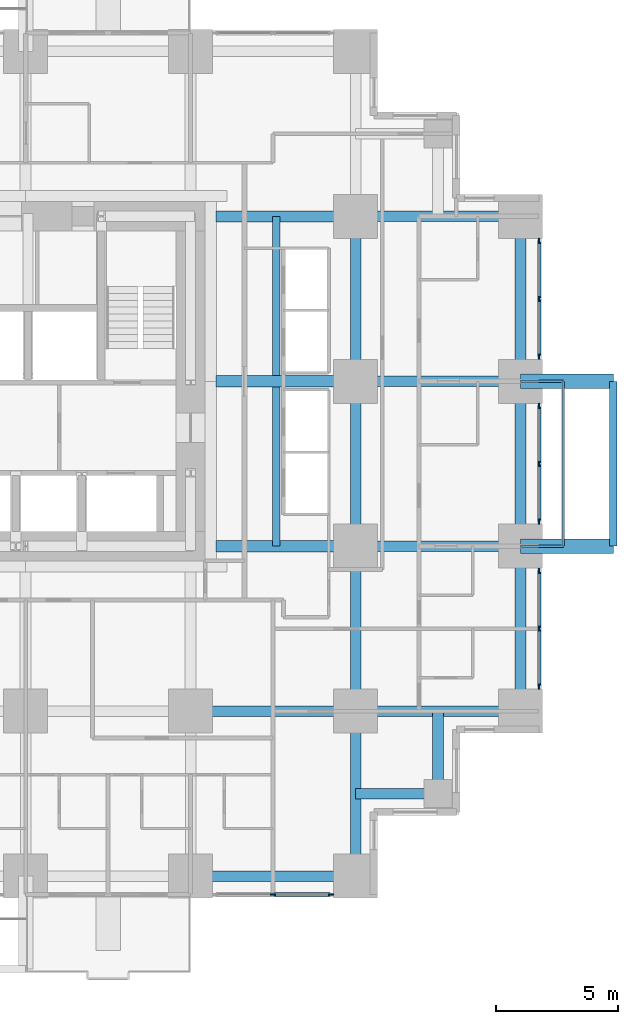
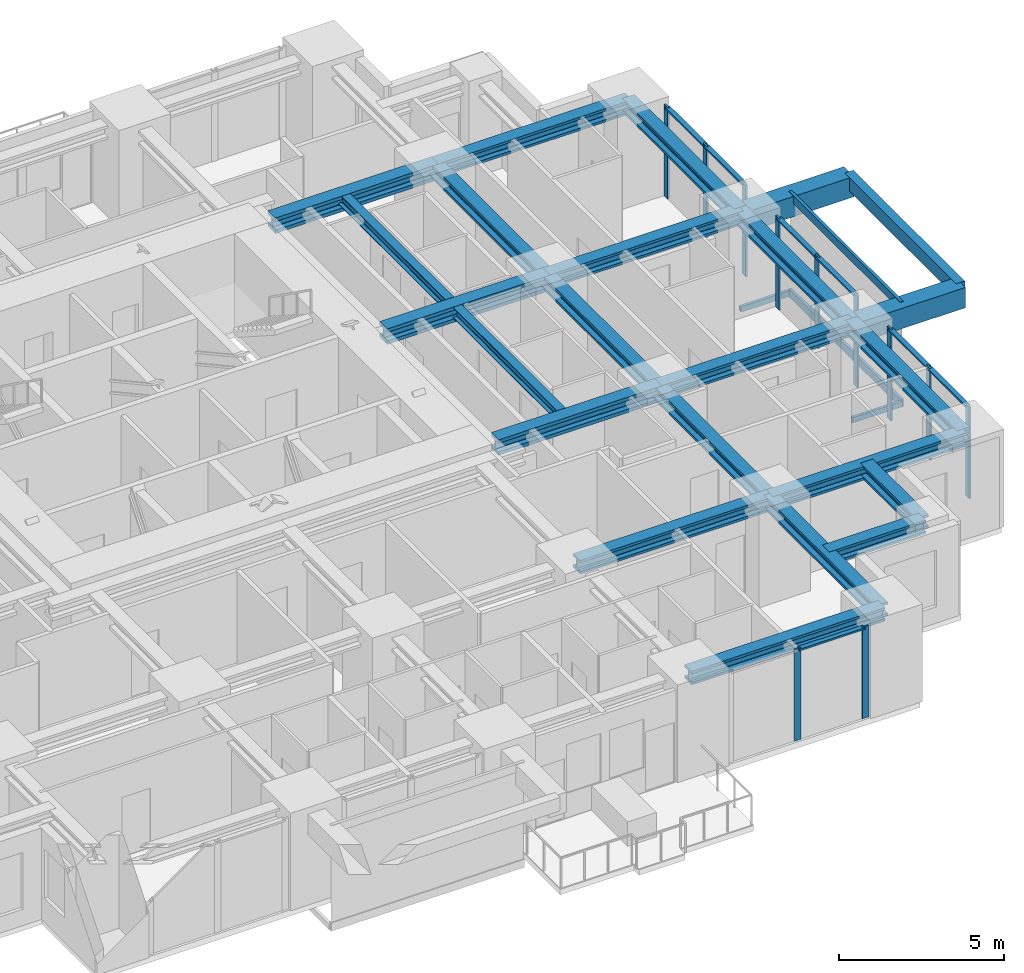
# One storey, part 4 of 12: 23 beams, 22 members, 4 elements without a shape of their own.
"""IFC4 building model written with IfcOpenShell, lengths in metres."""

from ifc_helpers import new_model, si_unit, direction, frame, origin, origin_2d, place, context, subcontext, project, spatial, rectangle, hollow_rectangle, i_section, extrude, material, material_profile, profile_set, type_object, element, aggregate, save


model = new_model("IFC4")

# Units and contexts
model_context = context("Model", 3, precision=1e-05, world=origin(), true_north=direction((0.0, 1.0)))
body_context = subcontext(model_context, "Body", "Model", "MODEL_VIEW")
ifc_project = project(units=[si_unit("LENGTHUNIT", "METRE"), si_unit("AREAUNIT", "SQUARE_METRE"), si_unit("VOLUMEUNIT", "CUBIC_METRE"), si_unit("PLANEANGLEUNIT", "RADIAN"), si_unit("MASSUNIT", "GRAM", prefix="KILO")], contexts=[model_context])

# Site, building, storey
site_placement = place(None, origin())
site = spatial("IfcSite", under=ifc_project, at=site_placement, CompositionType="ELEMENT")
building_placement = place(site_placement, origin())
building = spatial("IfcBuilding", under=site, at=building_placement, Name="Nyansa Garden Tower", CompositionType="ELEMENT")
storey_placement = place(building_placement, frame((0.0, 0.0, 90.89990234375)))
storey = spatial("IfcBuildingStorey", under=building, at=storey_placement, Name="L24", CompositionType="ELEMENT", Elevation=90.89990234375)

# Beams
ifc_material_1 = material(Name="Concrete C70/85", Category="concrete")
ifc_material_profile_1 = material_profile(ifc_material_1, rectangle(XDim=0.60009765625, YDim=0.75, at=origin_2d()), Name="RC 600x750")
ifc_profile_set_1 = profile_set([ifc_material_profile_1], Name="Concrete C70/85")
beam_type_1 = type_object("IfcBeamType", Name="Balcony cantilever beam CB1 RC 600x750", PredefinedType="BEAM", material=ifc_profile_set_1)
for number, where, z_axis, x_axis, name in (
    (1, (40.5, 13.5, 2.985107421875), (1.0, 0.0, 0.0), (0.0, 1.0, 0.0), "Balcony cantilever beam L25"),
    (2, (40.5, 20.25, 2.985107421875), (1.0, 0.0, 0.0), (0.0, 1.0, 0.0), "Balcony cantilever beam L25"),
):
    element("IfcBeam", number, at=place(storey_placement, frame(where, z_axis=z_axis, x_axis=x_axis)), inside=storey, type_object=beam_type_1, Name=name, PredefinedType="BEAM", context=body_context, shape_type="SweptSolid", body=[
        extrude(rectangle(XDim=0.60009765625, YDim=0.75, at=origin_2d()), origin(), (0.0, 0.0, 1.0), 3.800048828125),
    ])
ifc_material_2 = material(Name="Concrete C70/85", Category="concrete")
ifc_material_profile_2 = material_profile(ifc_material_2, rectangle(XDim=0.300048828125, YDim=0.5, at=origin_2d()), Name="RC 300x500")
ifc_profile_set_2 = profile_set([ifc_material_profile_2], Name="Concrete C70/85")
beam_type_2 = type_object("IfcBeamType", Name="Balcony edge beam BE1 RC 300x500", PredefinedType="BEAM", material=ifc_profile_set_2)
beam_placement = place(storey_placement, frame((44.300048828125, 13.5, 3.110107421875), z_axis=(0.0, 1.0, 0.0), x_axis=(-1.0, 0.0, 0.0)))
element("IfcBeam", 3, at=beam_placement, inside=storey, type_object=beam_type_2, Name="Balcony edge beam L25", PredefinedType="BEAM", context=body_context, shape_type="SweptSolid", body=[
    extrude(rectangle(XDim=0.300048828125, YDim=0.5, at=origin_2d()), origin(), (0.0, 0.0, 1.0), 6.75),
])

# Curtain wall, members
ifc_material_3 = material(Name="Black anodised aluminium, dark tinted double glazing", Category="aluminium")
curtain_wall_type = type_object("IfcCurtainWallType", Name="Inner skin curtain wall ISW-B", PredefinedType="USERDEFINED", material=ifc_material_3)
curtain_wall_1_placement = place(storey_placement, origin())
curtain_wall_1 = element("IfcCurtainWall", 4, at=curtain_wall_1_placement, inside=storey, type_object=curtain_wall_type, Name="Inner skin curtain wall L24 E", ObjectType="UNITISED CURTAIN WALL", PredefinedType="USERDEFINED")
ifc_material_4 = material(Name="Black anodised aluminium", Category="aluminium")
ifc_material_profile_3 = material_profile(ifc_material_4, rectangle(XDim=0.06494140625, YDim=0.22509765625, at=origin_2d()), Name="Mullion 225x65")
ifc_profile_set_3 = profile_set([ifc_material_profile_3], Name="Black anodised aluminium")
member_type_1 = type_object("IfcMemberType", Name="Mullion ISW-B 225x65", PredefinedType="MULLION", material=ifc_profile_set_3)
member_1_placement = place(storey_placement, frame((41.25, 7.762451171875, 0.0), z_axis=(0.0, 0.0, 1.0), x_axis=(-1.0, 0.0, 0.0)))
member_1 = element("IfcMember", 5, at=member_1_placement, type_object=member_type_1, Name="ISW-B mullion 1", PredefinedType="MULLION", context=body_context, shape_type="SweptSolid", body=[
    extrude(rectangle(XDim=0.06494140625, YDim=0.22509765625, at=origin_2d()), origin(), (0.0, 0.0, 1.0), 3.375),
])
member_2_placement = place(storey_placement, frame((41.25, 10.125, 0.0), z_axis=(0.0, 0.0, 1.0), x_axis=(-1.0, 0.0, 0.0)))
member_2 = element("IfcMember", 6, at=member_2_placement, type_object=member_type_1, Name="ISW-B mullion 2", PredefinedType="MULLION", context=body_context, shape_type="SweptSolid", body=[
    extrude(rectangle(XDim=0.06494140625, YDim=0.22509765625, at=origin_2d()), origin(), (0.0, 0.0, 1.0), 3.375),
])
member_3_placement = place(storey_placement, frame((41.25, 12.487548828125, 0.0), z_axis=(0.0, 0.0, 1.0), x_axis=(-1.0, 0.0, 0.0)))
member_3 = element("IfcMember", 7, at=member_3_placement, type_object=member_type_1, Name="ISW-B mullion 3", PredefinedType="MULLION", context=body_context, shape_type="SweptSolid", body=[
    extrude(rectangle(XDim=0.06494140625, YDim=0.22509765625, at=origin_2d()), origin(), (0.0, 0.0, 1.0), 3.375),
])

curtain_wall_2_placement = place(storey_placement, origin())
curtain_wall_2 = element("IfcCurtainWall", 8, at=curtain_wall_2_placement, inside=storey, type_object=curtain_wall_type, Name="Inner skin curtain wall L24 E", ObjectType="UNITISED CURTAIN WALL", PredefinedType="USERDEFINED")
member_4_placement = place(storey_placement, frame((41.25, 14.512451171875, 0.0), z_axis=(0.0, 0.0, 1.0), x_axis=(-1.0, 0.0, 0.0)))
member_4 = element("IfcMember", 9, at=member_4_placement, type_object=member_type_1, Name="ISW-B mullion 1", PredefinedType="MULLION", context=body_context, shape_type="SweptSolid", body=[
    extrude(rectangle(XDim=0.06494140625, YDim=0.22509765625, at=origin_2d()), origin(), (0.0, 0.0, 1.0), 3.375),
])
member_5_placement = place(storey_placement, frame((41.25, 16.875, 0.0), z_axis=(0.0, 0.0, 1.0), x_axis=(-1.0, 0.0, 0.0)))
member_5 = element("IfcMember", 10, at=member_5_placement, type_object=member_type_1, Name="ISW-B mullion 2", PredefinedType="MULLION", context=body_context, shape_type="SweptSolid", body=[
    extrude(rectangle(XDim=0.06494140625, YDim=0.22509765625, at=origin_2d()), origin(), (0.0, 0.0, 1.0), 3.375),
])
member_6_placement = place(storey_placement, frame((41.25, 19.237548828125, 0.0), z_axis=(0.0, 0.0, 1.0), x_axis=(-1.0, 0.0, 0.0)))
member_6 = element("IfcMember", 11, at=member_6_placement, type_object=member_type_1, Name="ISW-B mullion 3", PredefinedType="MULLION", context=body_context, shape_type="SweptSolid", body=[
    extrude(rectangle(XDim=0.06494140625, YDim=0.22509765625, at=origin_2d()), origin(), (0.0, 0.0, 1.0), 3.375),
])

curtain_wall_3_placement = place(storey_placement, origin())
curtain_wall_3 = element("IfcCurtainWall", 12, at=curtain_wall_3_placement, inside=storey, type_object=curtain_wall_type, Name="Inner skin curtain wall L24 E", ObjectType="UNITISED CURTAIN WALL", PredefinedType="USERDEFINED")
member_7_placement = place(storey_placement, frame((41.25, 21.262451171875, 0.0), z_axis=(0.0, 0.0, 1.0), x_axis=(-1.0, 0.0, 0.0)))
member_7 = element("IfcMember", 13, at=member_7_placement, type_object=member_type_1, Name="ISW-B mullion 1", PredefinedType="MULLION", context=body_context, shape_type="SweptSolid", body=[
    extrude(rectangle(XDim=0.06494140625, YDim=0.22509765625, at=origin_2d()), origin(), (0.0, 0.0, 1.0), 3.375),
])
member_8_placement = place(storey_placement, frame((41.25, 23.625, 0.0), z_axis=(0.0, 0.0, 1.0), x_axis=(-1.0, 0.0, 0.0)))
member_8 = element("IfcMember", 14, at=member_8_placement, type_object=member_type_1, Name="ISW-B mullion 2", PredefinedType="MULLION", context=body_context, shape_type="SweptSolid", body=[
    extrude(rectangle(XDim=0.06494140625, YDim=0.22509765625, at=origin_2d()), origin(), (0.0, 0.0, 1.0), 3.375),
])
member_9_placement = place(storey_placement, frame((41.25, 25.987548828125, 0.0), z_axis=(0.0, 0.0, 1.0), x_axis=(-1.0, 0.0, 0.0)))
member_9 = element("IfcMember", 15, at=member_9_placement, type_object=member_type_1, Name="ISW-B mullion 3", PredefinedType="MULLION", context=body_context, shape_type="SweptSolid", body=[
    extrude(rectangle(XDim=0.06494140625, YDim=0.22509765625, at=origin_2d()), origin(), (0.0, 0.0, 1.0), 3.375),
])

curtain_wall_4_placement = place(storey_placement, origin())
curtain_wall_4 = element("IfcCurtainWall", 16, at=curtain_wall_4_placement, inside=storey, type_object=curtain_wall_type, Name="Inner skin curtain wall L24 S", ObjectType="UNITISED CURTAIN WALL", PredefinedType="USERDEFINED")
member_10_placement = place(storey_placement, frame((30.375, -0.75, 0.0), z_axis=(0.0, 0.0, 1.0), x_axis=(0.0, 1.0, 0.0)))
member_10 = element("IfcMember", 17, at=member_10_placement, type_object=member_type_1, Name="ISW-B mullion 2", PredefinedType="MULLION", context=body_context, shape_type="SweptSolid", body=[
    extrude(rectangle(XDim=0.06494140625, YDim=0.22509765625, at=origin_2d()), origin(), (0.0, 0.0, 1.0), 3.375),
])
member_11_placement = place(storey_placement, frame((32.737548828125, -0.75, 0.0), z_axis=(0.0, 0.0, 1.0), x_axis=(0.0, 1.0, 0.0)))
member_11 = element("IfcMember", 18, at=member_11_placement, type_object=member_type_1, Name="ISW-B mullion 3", PredefinedType="MULLION", context=body_context, shape_type="SweptSolid", body=[
    extrude(rectangle(XDim=0.06494140625, YDim=0.22509765625, at=origin_2d()), origin(), (0.0, 0.0, 1.0), 3.375),
])

# Members
ifc_material_5 = material(Name="Steel S355, black powder coated", Category="steel")
ifc_material_profile_4 = material_profile(ifc_material_5, hollow_rectangle(XDim=0.10009765625, YDim=0.199951171875, WallThickness=0.008056640625, at=origin_2d()), Name="RHS 200x100x8")
ifc_profile_set_4 = profile_set([ifc_material_profile_4], Name="Steel S355, black powder coated")
member_type_2 = type_object("IfcMemberType", Name="Outer skin bracket arm RHS 200x100x8", PredefinedType="USERDEFINED", material=ifc_profile_set_4)
for number, where, z_axis, x_axis, name in (
    (19, (40.5, 13.5, -0.375), (1.0, 0.0, 0.0), (0.0, 1.0, 0.0), "Outer skin bracket arm"),
    (20, (40.5, 20.25, -0.375), (1.0, 0.0, 0.0), (0.0, 1.0, 0.0), "Outer skin bracket arm"),
):
    element("IfcMember", number, at=place(storey_placement, frame(where, z_axis=z_axis, x_axis=x_axis)), inside=storey, type_object=member_type_2, Name=name, ObjectType="OUTER SKIN BRACKET", PredefinedType="USERDEFINED", context=body_context, shape_type="SweptSolid", body=[
        extrude(hollow_rectangle(XDim=0.10009765625, YDim=0.199951171875, WallThickness=0.008056640625, at=origin_2d()), origin(), (0.0, 0.0, 1.0), 1.75),
    ])
ifc_material_6 = material(Name="Steel S355, black powder coated", Category="steel")
ifc_material_profile_5 = material_profile(ifc_material_6, hollow_rectangle(XDim=0.10009765625, YDim=0.300048828125, WallThickness=0.010009765625, at=origin_2d()), Name="RHS 300x100x10")
ifc_profile_set_5 = profile_set([ifc_material_profile_5], Name="Steel S355, black powder coated")
member_type_3 = type_object("IfcMemberType", Name="Outer skin rail RHS 300x100x10", PredefinedType="USERDEFINED", material=ifc_profile_set_5)
for number, where, z_axis, x_axis, name in (
    (21, (42.25, 13.5, -0.375), (0.0, 1.0, 0.0), (-1.0, 0.0, 0.0), "Outer skin rail L24"),
    (22, (42.25, 13.5, 3.22509765625), (0.0, 1.0, 0.0), (-1.0, 0.0, 0.0), "Outer skin rail L24 head"),
):
    element("IfcMember", number, at=place(storey_placement, frame(where, z_axis=z_axis, x_axis=x_axis)), inside=storey, type_object=member_type_3, Name=name, ObjectType="OUTER SKIN RAIL", PredefinedType="USERDEFINED", context=body_context, shape_type="SweptSolid", body=[
        extrude(hollow_rectangle(XDim=0.10009765625, YDim=0.300048828125, WallThickness=0.010009765625, at=origin_2d()), origin(), (0.0, 0.0, 1.0), 6.75),
    ])

# Beams
ifc_material_7 = material(Name="Steel S355", Category="steel")
ifc_material_profile_6 = material_profile(ifc_material_7, i_section(OverallWidth=0.431884765625, OverallDepth=0.498046875, WebThickness=0.0556640625, FlangeThickness=0.0888671875, FilletRadius=0.014892578125, at=origin_2d()), Name="HD 400x744")
ifc_profile_set_6 = profile_set([ifc_material_profile_6], Name="Steel S355")
beam_type_3 = type_object("IfcBeamType", Name="Steel beam SBB1-744 HD 400x744", PredefinedType="BEAM", material=ifc_profile_set_6)
for number, where, z_axis, x_axis, name in (
    (23, (27.0, 6.75, 3.1259765625), (1.0, 0.0, 0.0), (0.0, 1.0, 0.0), "Steel beam 6/E-7/E L25"),
    (24, (33.75, 0.0, 3.1259765625), (0.0, 1.0, 0.0), (-1.0, 0.0, 0.0), "Steel beam 7/D-7/E L25"),
    (25, (33.75, 6.75, 3.1259765625), (0.0, 1.0, 0.0), (-1.0, 0.0, 0.0), "Steel beam 7/E-7/F L25"),
    (26, (33.75, 6.75, 3.1259765625), (1.0, 0.0, 0.0), (0.0, 1.0, 0.0), "Steel beam 7/E-8/E L25"),
    (27, (33.75, 13.5, 3.1259765625), (0.0, 1.0, 0.0), (-1.0, 0.0, 0.0), "Steel beam 7/F-7/G L25"),
    (28, (33.75, 13.5, 3.1259765625), (1.0, 0.0, 0.0), (0.0, 1.0, 0.0), "Steel beam 7/F-8/F L25"),
    (29, (33.75, 20.25, 3.1259765625), (0.0, 1.0, 0.0), (-1.0, 0.0, 0.0), "Steel beam 7/G-7/H L25"),
    (30, (33.75, 20.25, 3.1259765625), (1.0, 0.0, 0.0), (0.0, 1.0, 0.0), "Steel beam 7/G-8/G L25"),
    (31, (33.75, 27.0, 3.1259765625), (1.0, 0.0, 0.0), (0.0, 1.0, 0.0), "Steel beam 7/H-8/H L25"),
):
    element("IfcBeam", number, at=place(storey_placement, frame(where, z_axis=z_axis, x_axis=x_axis)), inside=storey, type_object=beam_type_3, Name=name, PredefinedType="BEAM", context=body_context, shape_type="SweptSolid", body=[
        extrude(i_section(OverallWidth=0.431884765625, OverallDepth=0.498046875, WebThickness=0.0556640625, FlangeThickness=0.0888671875, FilletRadius=0.014892578125, at=origin_2d()), origin(), (0.0, 0.0, 1.0), 6.75),
    ])
ifc_material_8 = material(Name="Steel S355", Category="steel")
ifc_material_profile_7 = material_profile(ifc_material_8, i_section(OverallWidth=0.4541015625, OverallDepth=0.569091796875, WebThickness=0.077880859375, FlangeThickness=0.125, FilletRadius=0.014892578125, at=origin_2d()), Name="HD 400x1086")
ifc_profile_set_7 = profile_set([ifc_material_profile_7], Name="Steel S355")
beam_type_4 = type_object("IfcBeamType", Name="Steel beam SCL-1086 HD 400x1086", PredefinedType="BEAM", material=ifc_profile_set_7)
for number, where, z_axis, x_axis, name in (
    (32, (28.050048828125, 13.5, 3.090576171875), (1.0, 0.0, 0.0), (0.0, 1.0, 0.0), "Steel beam 28.050/F-7/F L25"),
    (33, (28.050048828125, 20.25, 3.090576171875), (1.0, 0.0, 0.0), (0.0, 1.0, 0.0), "Steel beam 28.050/G-7/G L25"),
    (34, (28.050048828125, 27.0, 3.090576171875), (1.0, 0.0, 0.0), (0.0, 1.0, 0.0), "Steel beam 28.050/H-7/H L25"),
):
    element("IfcBeam", number, at=place(storey_placement, frame(where, z_axis=z_axis, x_axis=x_axis)), inside=storey, type_object=beam_type_4, Name=name, PredefinedType="BEAM", context=body_context, shape_type="SweptSolid", body=[
        extrude(i_section(OverallWidth=0.4541015625, OverallDepth=0.569091796875, WebThickness=0.077880859375, FlangeThickness=0.125, FilletRadius=0.014892578125, at=origin_2d()), origin(), (0.0, 0.0, 1.0), 5.699951171875),
    ])
ifc_material_9 = material(Name="Steel S355", Category="steel")
ifc_material_profile_8 = material_profile(ifc_material_9, i_section(OverallWidth=0.431884765625, OverallDepth=0.498046875, WebThickness=0.0556640625, FlangeThickness=0.0888671875, FilletRadius=0.014892578125, at=origin_2d()), Name="HD 400x744")
ifc_profile_set_8 = profile_set([ifc_material_profile_8], Name="Steel S355")
beam_type_5 = type_object("IfcBeamType", Name="Steel beam SEBB-744 HD 400x744", PredefinedType="BEAM", material=ifc_profile_set_8)
for number, where, z_axis, x_axis, name in (
    (35, (27.0, 0.0, 3.1259765625), (1.0, 0.0, 0.0), (0.0, 1.0, 0.0), "Steel edge beam 6/D-7/D L25"),
    (36, (40.5, 6.75, 3.1259765625), (0.0, 1.0, 0.0), (-1.0, 0.0, 0.0), "Steel edge beam 8/E-8/F L25"),
    (37, (40.5, 13.5, 3.1259765625), (0.0, 1.0, 0.0), (-1.0, 0.0, 0.0), "Steel edge beam 8/F-8/G L25"),
    (38, (40.5, 20.25, 3.1259765625), (0.0, 1.0, 0.0), (-1.0, 0.0, 0.0), "Steel edge beam 8/G-8/H L25"),
):
    element("IfcBeam", number, at=place(storey_placement, frame(where, z_axis=z_axis, x_axis=x_axis)), inside=storey, type_object=beam_type_5, Name=name, PredefinedType="BEAM", context=body_context, shape_type="SweptSolid", body=[
        extrude(i_section(OverallWidth=0.431884765625, OverallDepth=0.498046875, WebThickness=0.0556640625, FlangeThickness=0.0888671875, FilletRadius=0.014892578125, at=origin_2d()), origin(), (0.0, 0.0, 1.0), 6.75),
    ])
ifc_material_10 = material(Name="Steel S355", Category="steel")
ifc_material_profile_9 = material_profile(ifc_material_10, i_section(OverallWidth=0.431884765625, OverallDepth=0.498046875, WebThickness=0.0556640625, FlangeThickness=0.0888671875, FilletRadius=0.014892578125, at=origin_2d()), Name="HD 400x744")
ifc_profile_set_9 = profile_set([ifc_material_profile_9], Name="Steel S355")
beam_type_6 = type_object("IfcBeamType", Name="Steel beam SSB1-744 HD 400x744", PredefinedType="BEAM", material=ifc_profile_set_9)
for number, where, z_axis, x_axis, name in (
    (39, (37.125, 3.375, 3.1259765625), (0.0, 1.0, 0.0), (-1.0, 0.0, 0.0), "Steel step beam 37.125/3.375 L25"),
    (40, (37.125, 3.375, 3.1259765625), (-1.0, 0.0, 0.0), (0.0, -1.0, 0.0), "Steel step beam 37.125/3.375 L25"),
):
    element("IfcBeam", number, at=place(storey_placement, frame(where, z_axis=z_axis, x_axis=x_axis)), inside=storey, type_object=beam_type_6, Name=name, PredefinedType="BEAM", context=body_context, shape_type="SweptSolid", body=[
        extrude(i_section(OverallWidth=0.431884765625, OverallDepth=0.498046875, WebThickness=0.0556640625, FlangeThickness=0.0888671875, FilletRadius=0.014892578125, at=origin_2d()), origin(), (0.0, 0.0, 1.0), 3.375),
    ])

# Member
ifc_material_11 = material(Name="Black anodised aluminium", Category="aluminium")
ifc_material_profile_10 = material_profile(ifc_material_11, rectangle(XDim=0.1650390625, YDim=0.06494140625, at=origin_2d()), Name="Transom 165x65")
ifc_profile_set_10 = profile_set([ifc_material_profile_10], Name="Black anodised aluminium")
member_type_4 = type_object("IfcMemberType", Name="Transom ISW-B 165x65", PredefinedType="USERDEFINED", material=ifc_profile_set_10)
member_12_placement = place(storey_placement, frame((41.25, 7.794921875, 3.342529296875), z_axis=(0.0, 1.0, 0.0), x_axis=(-1.0, 0.0, 0.0)))
member_12 = element("IfcMember", 41, at=member_12_placement, type_object=member_type_4, Name="ISW-B transom 1", ObjectType="TRANSOM", PredefinedType="USERDEFINED", context=body_context, shape_type="SweptSolid", body=[
    extrude(rectangle(XDim=0.1650390625, YDim=0.06494140625, at=origin_2d()), origin(), (0.0, 0.0, 1.0), 2.297607421875),
])

member_13_placement = place(storey_placement, frame((41.25, 10.157470703125, 3.342529296875), z_axis=(0.0, 1.0, 0.0), x_axis=(-1.0, 0.0, 0.0)))
member_13 = element("IfcMember", 42, at=member_13_placement, type_object=member_type_4, Name="ISW-B transom 2", ObjectType="TRANSOM", PredefinedType="USERDEFINED", context=body_context, shape_type="SweptSolid", body=[
    extrude(rectangle(XDim=0.1650390625, YDim=0.06494140625, at=origin_2d()), origin(), (0.0, 0.0, 1.0), 2.297607421875),
])

aggregate(curtain_wall_1, [member_1, member_2, member_3, member_12, member_13])

member_14_placement = place(storey_placement, frame((41.25, 14.544921875, 3.342529296875), z_axis=(0.0, 1.0, 0.0), x_axis=(-1.0, 0.0, 0.0)))
member_14 = element("IfcMember", 43, at=member_14_placement, type_object=member_type_4, Name="ISW-B transom 1", ObjectType="TRANSOM", PredefinedType="USERDEFINED", context=body_context, shape_type="SweptSolid", body=[
    extrude(rectangle(XDim=0.1650390625, YDim=0.06494140625, at=origin_2d()), origin(), (0.0, 0.0, 1.0), 2.297607421875),
])

member_15_placement = place(storey_placement, frame((41.25, 16.907470703125, 3.342529296875), z_axis=(0.0, 1.0, 0.0), x_axis=(-1.0, 0.0, 0.0)))
member_15 = element("IfcMember", 44, at=member_15_placement, type_object=member_type_4, Name="ISW-B transom 2", ObjectType="TRANSOM", PredefinedType="USERDEFINED", context=body_context, shape_type="SweptSolid", body=[
    extrude(rectangle(XDim=0.1650390625, YDim=0.06494140625, at=origin_2d()), origin(), (0.0, 0.0, 1.0), 2.297607421875),
])

aggregate(curtain_wall_2, [member_4, member_5, member_6, member_14, member_15])

member_16_placement = place(storey_placement, frame((41.25, 21.294921875, 3.342529296875), z_axis=(0.0, 1.0, 0.0), x_axis=(-1.0, 0.0, 0.0)))
member_16 = element("IfcMember", 45, at=member_16_placement, type_object=member_type_4, Name="ISW-B transom 1", ObjectType="TRANSOM", PredefinedType="USERDEFINED", context=body_context, shape_type="SweptSolid", body=[
    extrude(rectangle(XDim=0.1650390625, YDim=0.06494140625, at=origin_2d()), origin(), (0.0, 0.0, 1.0), 2.297607421875),
])

member_17_placement = place(storey_placement, frame((41.25, 23.657470703125, 3.342529296875), z_axis=(0.0, 1.0, 0.0), x_axis=(-1.0, 0.0, 0.0)))
member_17 = element("IfcMember", 46, at=member_17_placement, type_object=member_type_4, Name="ISW-B transom 2", ObjectType="TRANSOM", PredefinedType="USERDEFINED", context=body_context, shape_type="SweptSolid", body=[
    extrude(rectangle(XDim=0.1650390625, YDim=0.06494140625, at=origin_2d()), origin(), (0.0, 0.0, 1.0), 2.297607421875),
])

aggregate(curtain_wall_3, [member_7, member_8, member_9, member_16, member_17])

member_18_placement = place(storey_placement, frame((30.407470703125, -0.75, 3.342529296875), z_axis=(1.0, 0.0, 0.0), x_axis=(0.0, 1.0, 0.0)))
member_18 = element("IfcMember", 47, at=member_18_placement, type_object=member_type_4, Name="ISW-B transom 2", ObjectType="TRANSOM", PredefinedType="USERDEFINED", context=body_context, shape_type="SweptSolid", body=[
    extrude(rectangle(XDim=0.1650390625, YDim=0.06494140625, at=origin_2d()), origin(), (0.0, 0.0, 1.0), 2.297607421875),
])

aggregate(curtain_wall_4, [member_10, member_11, member_18])

# Beams
ifc_material_12 = material(Name="Steel S355", Category="steel")
ifc_material_profile_11 = material_profile(ifc_material_12, i_section(OverallWidth=0.300048828125, OverallDepth=0.39990234375, WebThickness=0.013427734375, FlangeThickness=0.02392578125, FilletRadius=0.027099609375, at=origin_2d()), Name="HE 400 B")
ifc_profile_set_11 = profile_set([ifc_material_profile_11], Name="Steel S355")
beam_type_7 = type_object("IfcBeamType", Name="Trimmer beam TR1 HE 400 B", PredefinedType="BEAM", material=ifc_profile_set_11)
for number, where, z_axis, x_axis, name in (
    (48, (30.5, 13.5, 3.175048828125), (0.0, 1.0, 0.0), (-1.0, 0.0, 0.0), "Trimmer beam 1 L25"),
    (49, (30.5, 20.47705078125, 3.175048828125), (0.0, 1.0, 0.0), (-1.0, 0.0, 0.0), "Trimmer beam 2 L25"),
):
    element("IfcBeam", number, at=place(storey_placement, frame(where, z_axis=z_axis, x_axis=x_axis)), inside=storey, type_object=beam_type_7, Name=name, PredefinedType="BEAM", context=body_context, shape_type="SweptSolid", body=[
        extrude(i_section(OverallWidth=0.300048828125, OverallDepth=0.39990234375, WebThickness=0.013427734375, FlangeThickness=0.02392578125, FilletRadius=0.027099609375, at=origin_2d()), origin(), (0.0, 0.0, 1.0), 6.52294921875),
    ])

save(model, "model.ifc")
